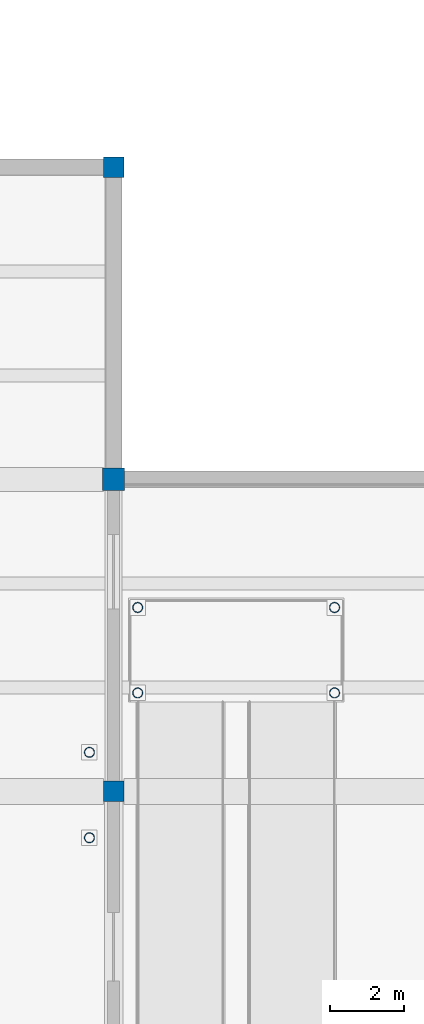
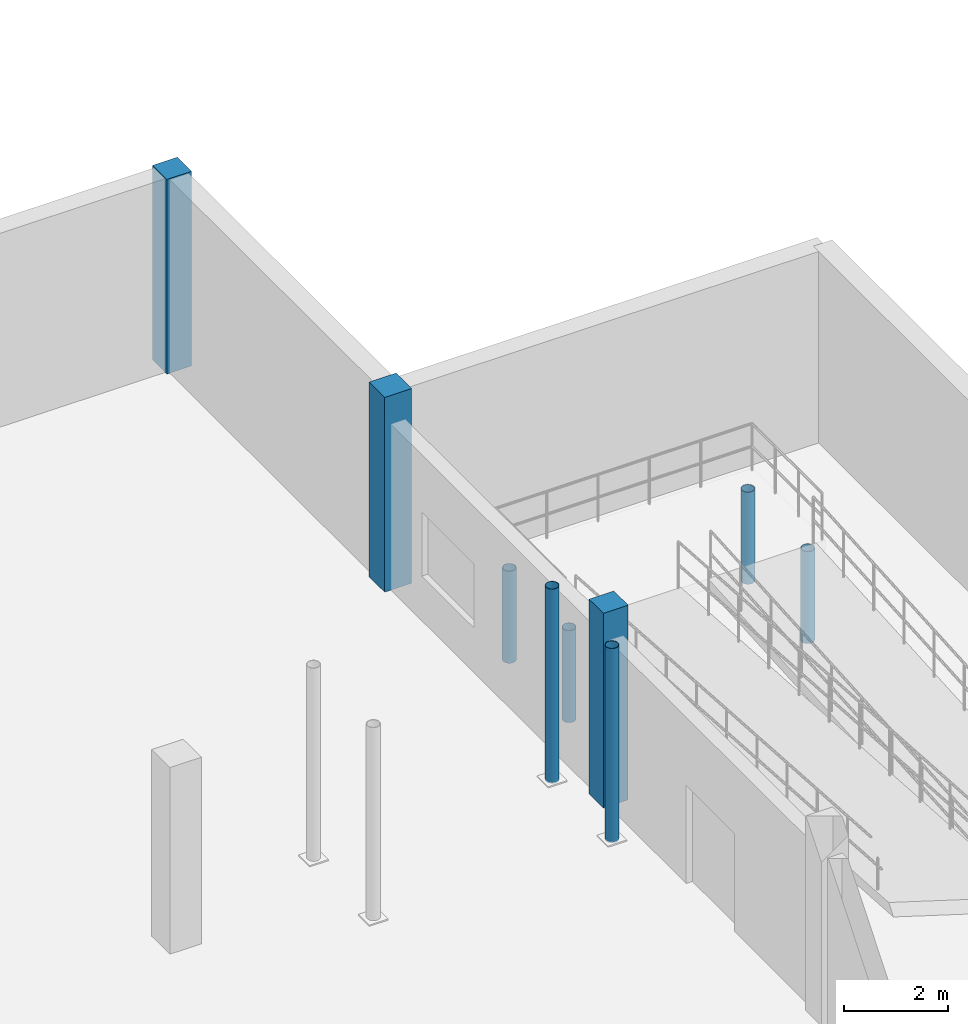
# One storey, part 4 of 30: 9 columns.
"""IFC4 building model written with IfcOpenShell, lengths in metres."""

from ifc_helpers import new_model, si_unit, direction, frame, origin, origin_2d, place, context, subcontext, project, spatial, rectangle, hollow_circle, extrude, material, material_profile, profile_set, type_object, element, save


model = new_model("IFC4")

# Units and contexts
model_context = context("Model", 3, precision=1e-05, world=origin(), true_north=direction((0.0, 1.0)))
body_context = subcontext(model_context, "Body", "Model", "MODEL_VIEW")
ifc_project = project(units=[si_unit("LENGTHUNIT", "METRE"), si_unit("AREAUNIT", "SQUARE_METRE"), si_unit("VOLUMEUNIT", "CUBIC_METRE"), si_unit("PLANEANGLEUNIT", "RADIAN"), si_unit("MASSUNIT", "GRAM", prefix="KILO")], contexts=[model_context])

# Site, building, storey
site_placement = place(None, origin())
site = spatial("IfcSite", under=ifc_project, at=site_placement, CompositionType="ELEMENT")
building_placement = place(site_placement, origin())
building = spatial("IfcBuilding", under=site, at=building_placement, Name="Lornevale Opera House", CompositionType="ELEMENT")
storey_placement = place(building_placement, frame((0.0, 0.0, -4.800048828125)))
storey = spatial("IfcBuildingStorey", under=building, at=storey_placement, Name="B1", CompositionType="ELEMENT", Elevation=-4.800048828125)

# Columns
ifc_material_1 = material(Name="Concrete 35 MPa (CSA A23.1 N)", Category="concrete")
ifc_material_profile_1 = material_profile(ifc_material_1, rectangle(XDim=0.550048828125, YDim=0.550048828125, at=origin_2d()), Name="RC550x550")
ifc_profile_set_1 = profile_set([ifc_material_profile_1], Name="Concrete 35 MPa (CSA A23.1 N)")
column_type_1 = type_object("IfcColumnType", Name="Concrete Column 550x550", PredefinedType="COLUMN", material=ifc_profile_set_1)
for number, where, z_axis, x_axis, name in (
    (1, (163.199951171875, 67.199951171875, 0.0), (0.0, 0.0, 1.0), (1.0, 0.0, 0.0), "Concrete Column 550x550 1090"),
    (2, (163.199951171875, 84.0, 0.0), (0.0, 0.0, 1.0), (1.0, 0.0, 0.0), "Concrete Column 550x550 1094"),
):
    element("IfcColumn", number, at=place(storey_placement, frame(where, z_axis=z_axis, x_axis=x_axis)), inside=storey, type_object=column_type_1, Name=name, PredefinedType="COLUMN", context=body_context, shape_type="SweptSolid", body=[
        extrude(rectangle(XDim=0.550048828125, YDim=0.550048828125, at=origin_2d()), origin(), (0.0, 0.0, 1.0), 4.570068359375),
    ])
ifc_material_profile_2 = material_profile(ifc_material_1, rectangle(XDim=0.60009765625, YDim=0.60009765625, at=origin_2d()), Name="RC600x600")
ifc_profile_set_2 = profile_set([ifc_material_profile_2], Name="Concrete 35 MPa (CSA A23.1 N)")
column_type_2 = type_object("IfcColumnType", Name="Concrete Column 600x600", PredefinedType="COLUMN", material=ifc_profile_set_2)
column_placement = place(storey_placement, frame((163.199951171875, 75.60009765625, 0.0), z_axis=(0.0, 0.0, 1.0), x_axis=(1.0, 0.0, 0.0)))
element("IfcColumn", 3, at=column_placement, inside=storey, type_object=column_type_2, Name="Concrete Column 600x600 1092", PredefinedType="COLUMN", context=body_context, shape_type="SweptSolid", body=[
    extrude(rectangle(XDim=0.60009765625, YDim=0.60009765625, at=origin_2d()), origin(), (0.0, 0.0, 1.0), 4.570068359375),
])
ifc_material_2 = material(Name="Structural Steel CSA G40.21 Grade 350W (350 MPa)", Category="steel")
ifc_material_profile_3 = material_profile(ifc_material_2, hollow_circle(Radius=0.136474609375, WallThickness=0.010986328125, at=origin_2d()), Name="HSS273x11")
ifc_profile_set_3 = profile_set([ifc_material_profile_3], Name="Structural Steel CSA G40.21 Grade 350W (350 MPa)")
column_type_3 = type_object("IfcColumnType", Name="Promenade Ramp Mast HSS273x11", PredefinedType="COLUMN", material=ifc_profile_set_3)
for number, where, z_axis, x_axis, name in (
    (4, (163.85009765625, 69.85009765625, 0.0), (0.0, 0.0, 1.0), (1.0, 0.0, 0.0), "Promenade Ramp Mast B1 1131"),
    (5, (163.85009765625, 72.14990234375, 0.0), (0.0, 0.0, 1.0), (1.0, 0.0, 0.0), "Promenade Ramp Mast B1 1133"),
    (6, (169.14990234375, 69.85009765625, 0.0), (0.0, 0.0, 1.0), (1.0, 0.0, 0.0), "Promenade Ramp Mast B1 1135"),
    (7, (169.14990234375, 72.14990234375, 0.0), (0.0, 0.0, 1.0), (1.0, 0.0, 0.0), "Promenade Ramp Mast B1 1137"),
):
    element("IfcColumn", number, at=place(storey_placement, frame(where, z_axis=z_axis, x_axis=x_axis)), inside=storey, type_object=column_type_3, Name=name, PredefinedType="COLUMN", context=body_context, shape_type="SweptSolid", body=[
        extrude(hollow_circle(Radius=0.136474609375, WallThickness=0.010986328125, at=origin_2d()), origin(), (0.0, 0.0, 1.0), 2.16015625),
    ])
for number, where, z_axis, x_axis, name in (
    (8, (162.550048828125, 65.949951171875, 0.0), (0.0, 0.0, 1.0), (1.0, 0.0, 0.0), "Parterre Ramp Mast B1 1145"),
    (9, (162.550048828125, 68.25, 0.0), (0.0, 0.0, 1.0), (1.0, 0.0, 0.0), "Parterre Ramp Mast B1 1148"),
):
    element("IfcColumn", number, at=place(storey_placement, frame(where, z_axis=z_axis, x_axis=x_axis)), inside=storey, type_object=column_type_3, Name=name, PredefinedType="COLUMN", context=body_context, shape_type="SweptSolid", body=[
        extrude(hollow_circle(Radius=0.136474609375, WallThickness=0.010986328125, at=origin_2d()), origin(), (0.0, 0.0, 1.0), 4.56005859375),
    ])

save(model, "model.ifc")
